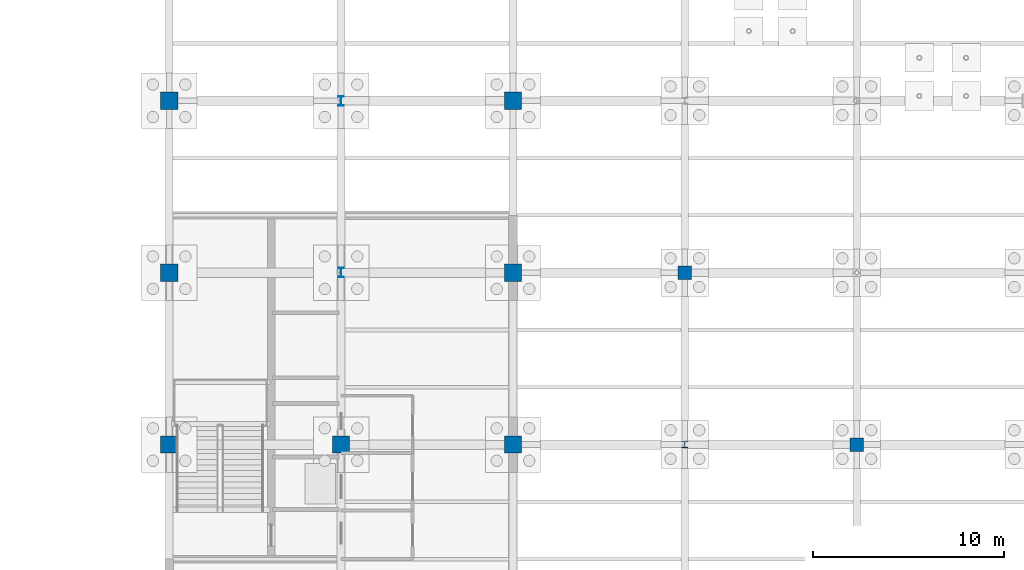
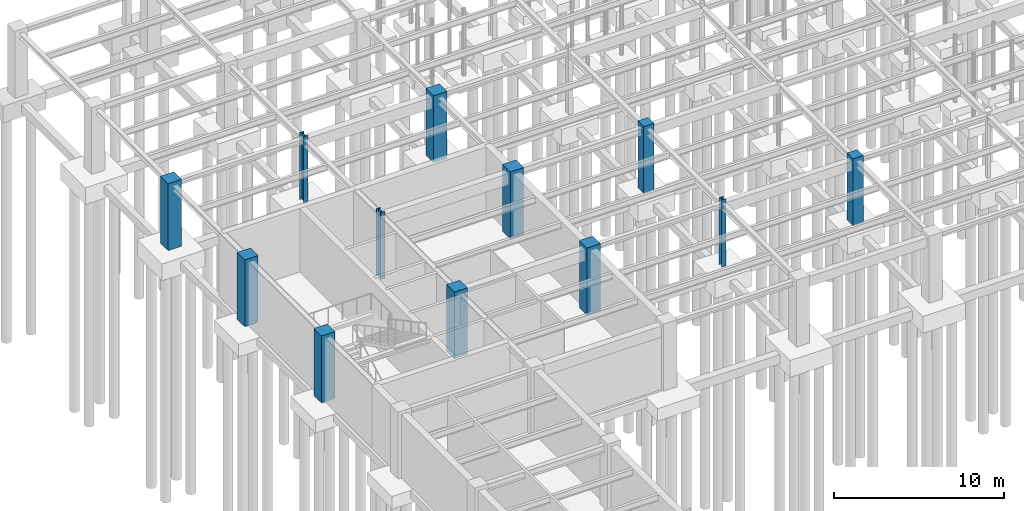
# One storey, part 21 of 49: 12 columns.
"""IFC4 building model written with IfcOpenShell, lengths in metres."""

from ifc_helpers import new_model, si_unit, direction, frame, origin, origin_2d, place, context, subcontext, project, spatial, rectangle, i_section, extrude, material, material_profile, profile_set, type_object, element, save


model = new_model("IFC4")

# Units and contexts
model_context = context("Model", 3, precision=1e-05, world=origin(), true_north=direction((0.0, 1.0)))
body_context = subcontext(model_context, "Body", "Model", "MODEL_VIEW")
ifc_project = project(units=[si_unit("LENGTHUNIT", "METRE"), si_unit("AREAUNIT", "SQUARE_METRE"), si_unit("VOLUMEUNIT", "CUBIC_METRE"), si_unit("PLANEANGLEUNIT", "RADIAN"), si_unit("MASSUNIT", "GRAM", prefix="KILO")], contexts=[model_context])

# Site, building, storey
site_placement = place(None, origin())
site = spatial("IfcSite", under=ifc_project, at=site_placement, CompositionType="ELEMENT")
building_placement = place(site_placement, origin())
building = spatial("IfcBuilding", under=site, at=building_placement, Name="Lykobir Media Centre", CompositionType="ELEMENT")
storey_placement = place(building_placement, frame((0.0, 0.0, -4.800048828125)))
storey = spatial("IfcBuildingStorey", under=building, at=storey_placement, Name="B1", CompositionType="ELEMENT", Elevation=-4.800048828125)

# Columns
ifc_material_1 = material(Name="Concrete C40/50", Category="concrete")
ifc_material_profile_1 = material_profile(ifc_material_1, rectangle(XDim=0.699951171875, YDim=0.699951171875, at=origin_2d()), Name="RC 700x700")
ifc_profile_set_1 = profile_set([ifc_material_profile_1], Name="Concrete C40/50")
column_type_1 = type_object("IfcColumnType", Name="RC-C700", PredefinedType="COLUMN", material=ifc_profile_set_1)
for number, where, z_axis, x_axis, name in (
    (1, (54.0, 81.0, 0.0), (0.0, 0.0, 1.0), (1.0, 0.0, 0.0), "Column COL-B1-0540-0810"),
    (2, (63.0, 72.0, 0.0), (0.0, 0.0, 1.0), (1.0, 0.0, 0.0), "Column COL-B1-0630-0720"),
):
    element("IfcColumn", number, at=place(storey_placement, frame(where, z_axis=z_axis, x_axis=x_axis)), inside=storey, type_object=column_type_1, Name=name, PredefinedType="COLUMN", context=body_context, shape_type="SweptSolid", body=[
        extrude(rectangle(XDim=0.699951171875, YDim=0.699951171875, at=origin_2d()), origin(), (0.0, 0.0, 1.0), 4.800048828125),
    ])
ifc_material_profile_2 = material_profile(ifc_material_1, rectangle(XDim=0.89990234375, YDim=0.89990234375, at=origin_2d()), Name="RC 900x900")
ifc_profile_set_2 = profile_set([ifc_material_profile_2], Name="Concrete C40/50")
column_type_2 = type_object("IfcColumnType", Name="RC-C900", PredefinedType="COLUMN", material=ifc_profile_set_2)
for number, where, z_axis, x_axis, name in (
    (3, (27.0, 72.0, 0.0), (0.0, 0.0, 1.0), (1.0, 0.0, 0.0), "Column COL-B1-0270-0720"),
    (4, (27.0, 81.0, 0.0), (0.0, 0.0, 1.0), (1.0, 0.0, 0.0), "Column COL-B1-0270-0810"),
    (5, (27.0, 90.0, 0.0), (0.0, 0.0, 1.0), (1.0, 0.0, 0.0), "Column COL-B1-0270-0900"),
    (6, (36.0, 72.0, 0.0), (0.0, 0.0, 1.0), (1.0, 0.0, 0.0), "Column COL-B1-0360-0720"),
    (7, (45.0, 72.0, 0.0), (0.0, 0.0, 1.0), (1.0, 0.0, 0.0), "Column COL-B1-0450-0720"),
    (8, (45.0, 81.0, 0.0), (0.0, 0.0, 1.0), (1.0, 0.0, 0.0), "Column COL-B1-0450-0810"),
    (9, (45.0, 90.0, 0.0), (0.0, 0.0, 1.0), (1.0, 0.0, 0.0), "Column COL-B1-0450-0900"),
):
    element("IfcColumn", number, at=place(storey_placement, frame(where, z_axis=z_axis, x_axis=x_axis)), inside=storey, type_object=column_type_2, Name=name, PredefinedType="COLUMN", context=body_context, shape_type="SweptSolid", body=[
        extrude(rectangle(XDim=0.89990234375, YDim=0.89990234375, at=origin_2d()), origin(), (0.0, 0.0, 1.0), 4.800048828125),
    ])
ifc_material_2 = material(Name="Steel S355", Category="steel")
ifc_material_profile_3 = material_profile(ifc_material_2, i_section(OverallWidth=0.300048828125, OverallDepth=0.320068359375, WebThickness=0.011474609375, FlangeThickness=0.0205078125, at=origin_2d()), Name="HEB 320")
ifc_profile_set_3 = profile_set([ifc_material_profile_3], Name="Steel S355")
column_type_3 = type_object("IfcColumnType", Name="SC-HEB320", PredefinedType="COLUMN", material=ifc_profile_set_3)
column_placement = place(storey_placement, frame((54.0, 72.0, 0.0), z_axis=(0.0, 0.0, 1.0), x_axis=(1.0, 0.0, 0.0)))
element("IfcColumn", 10, at=column_placement, inside=storey, type_object=column_type_3, Name="Column COL-B1-0540-0720", PredefinedType="COLUMN", context=body_context, shape_type="SweptSolid", body=[
    extrude(i_section(OverallWidth=0.300048828125, OverallDepth=0.320068359375, WebThickness=0.011474609375, FlangeThickness=0.0205078125, at=origin_2d()), origin(), (0.0, 0.0, 1.0), 4.800048828125),
])
ifc_material_profile_4 = material_profile(ifc_material_2, i_section(OverallWidth=0.300048828125, OverallDepth=0.5, WebThickness=0.014404296875, FlangeThickness=0.028076171875, at=origin_2d()), Name="HEB 500")
ifc_profile_set_4 = profile_set([ifc_material_profile_4], Name="Steel S355")
column_type_4 = type_object("IfcColumnType", Name="SC-HEB500", PredefinedType="COLUMN", material=ifc_profile_set_4)
for number, where, z_axis, x_axis, name in (
    (11, (36.0, 81.0, 0.0), (0.0, 0.0, 1.0), (1.0, 0.0, 0.0), "Column COL-B1-0360-0810"),
    (12, (36.0, 90.0, 0.0), (0.0, 0.0, 1.0), (1.0, 0.0, 0.0), "Column COL-B1-0360-0900"),
):
    element("IfcColumn", number, at=place(storey_placement, frame(where, z_axis=z_axis, x_axis=x_axis)), inside=storey, type_object=column_type_4, Name=name, PredefinedType="COLUMN", context=body_context, shape_type="SweptSolid", body=[
        extrude(i_section(OverallWidth=0.300048828125, OverallDepth=0.5, WebThickness=0.014404296875, FlangeThickness=0.028076171875, at=origin_2d()), origin(), (0.0, 0.0, 1.0), 4.800048828125),
    ])

save(model, "model.ifc")
